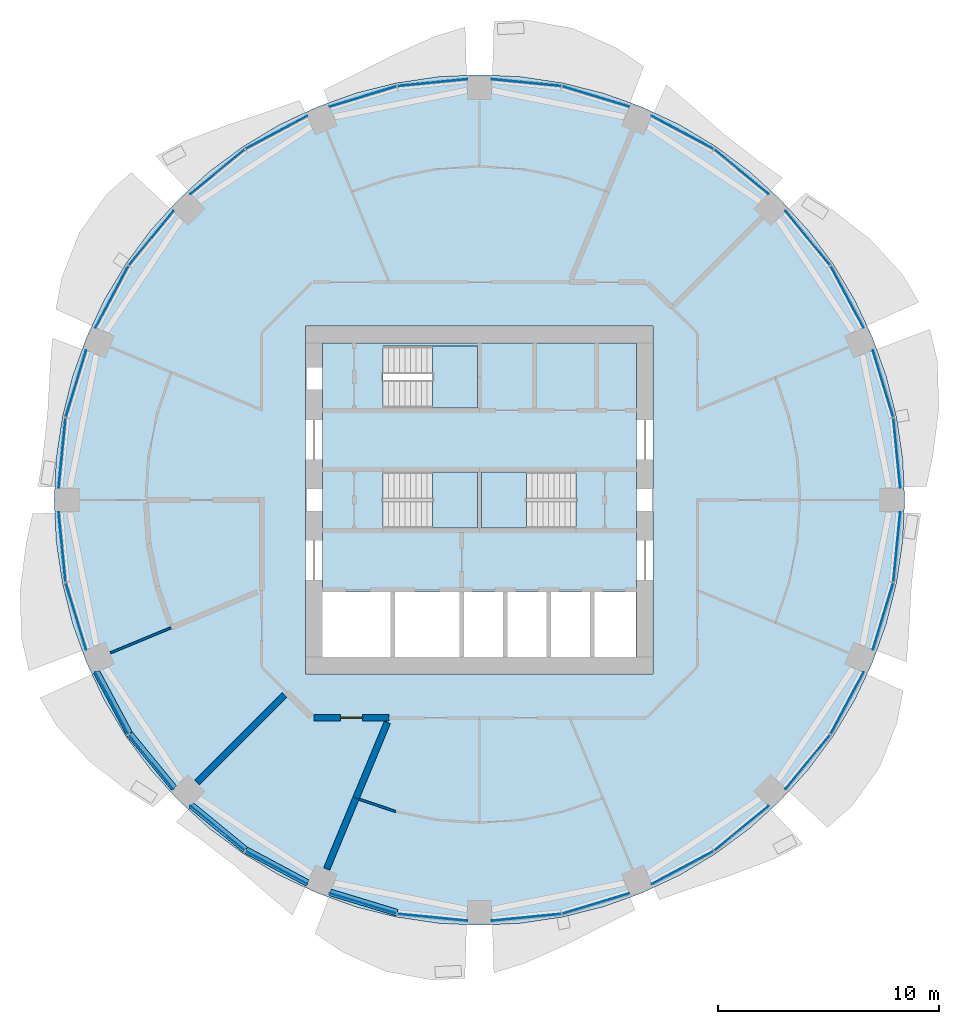
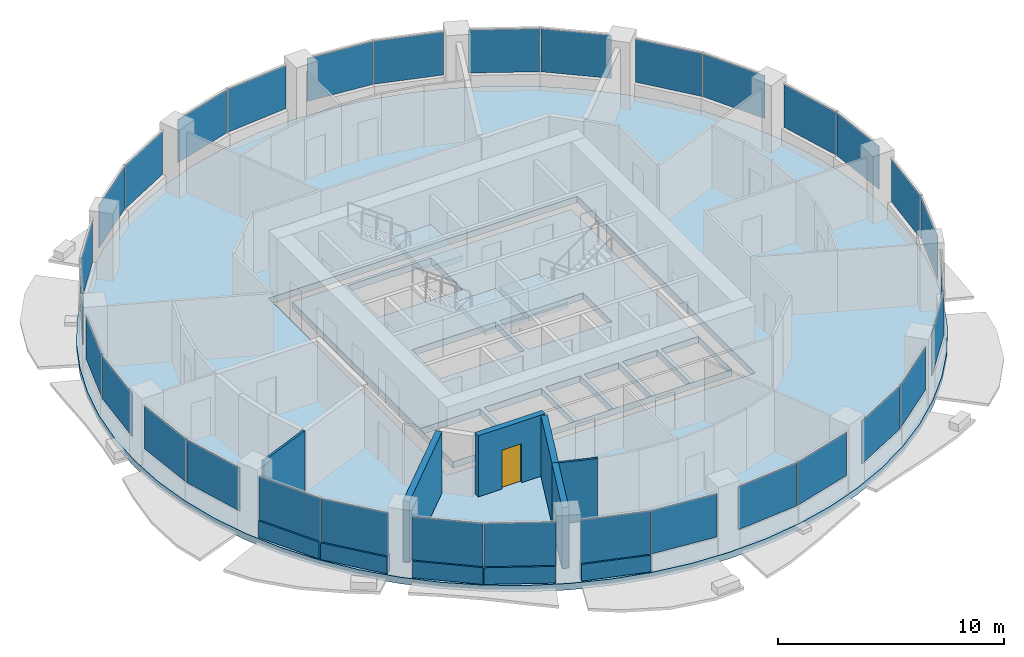
# One storey, part 6 of 14: 32 plates, 11 walls, 5 slabs, 1 door, 1 opening, 19 elements without a shape of their own.
"""IFC4 building model written with IfcOpenShell, lengths in metres."""

from ifc_helpers import new_model, si_unit, direction, frame, frame_2d, origin, origin_2d, place, context, subcontext, project, spatial, polyline, rectangle, outline, extrude, material, layer, layer_set, type_object, element, fill, aggregate, save


model = new_model("IFC4")

# Units and contexts
model_context = context("Model", 3, precision=1e-05, world=origin(), true_north=direction((0.0, 1.0)))
body_context = subcontext(model_context, "Body", "Model", "MODEL_VIEW")
ifc_project = project(units=[si_unit("LENGTHUNIT", "METRE"), si_unit("AREAUNIT", "SQUARE_METRE"), si_unit("VOLUMEUNIT", "CUBIC_METRE"), si_unit("PLANEANGLEUNIT", "RADIAN"), si_unit("MASSUNIT", "GRAM", prefix="KILO")], contexts=[model_context])

# Site, building, storey
site_placement = place(None, origin())
site = spatial("IfcSite", under=ifc_project, at=site_placement, CompositionType="ELEMENT")
building_placement = place(site_placement, origin())
building = spatial("IfcBuilding", under=site, at=building_placement, Name="Polderwave Tower", CompositionType="ELEMENT")
storey_placement = place(building_placement, frame((0.0, 0.0, 98.300048828125)))
storey = spatial("IfcBuildingStorey", under=building, at=storey_placement, Name="L25", CompositionType="ELEMENT", Elevation=98.300048828125)

# Slab
ifc_material_1 = material(Name="Concrete C40/50", Category="concrete")
ifc_layer_1 = layer(ifc_material_1, 0.35009765625)
ifc_layer_set_1 = layer_set([ifc_layer_1], Name="Core floor slab 350")
slab_type_1 = type_object("IfcSlabType", Name="Core floor slab 350", PredefinedType="FLOOR", material=ifc_layer_set_1)
slab_1_placement = place(storey_placement, frame((0.0, 0.0, -0.35009765625)))
element("IfcSlab", 1, at=slab_1_placement, inside=storey, type_object=slab_type_1, Name="L25 core floor", PredefinedType="FLOOR", context=body_context, shape_type="SweptSolid", body=[
    extrude(outline(polyline([(-7.1240234375, -7.1240234375), (7.1240234375, -7.1240234375), (7.1240234375, 7.1240234375), (-7.1240234375, 7.1240234375), (-7.1240234375, -7.1240234375)]), holes=[polyline([(-7.10400390625, -7.10400390625), (-4.037109375, -7.10400390625), (-4.037109375, -4.174072265625), (-7.10400390625, -4.174072265625), (-7.10400390625, -7.10400390625)]), polyline([(-3.8369140625, -7.10400390625), (-0.89990234375, -7.10400390625), (-0.89990234375, -4.174072265625), (-3.8369140625, -4.174072265625), (-3.8369140625, -7.10400390625)]), polyline([(-0.699951171875, -7.10400390625), (1.068603515625, -7.10400390625), (1.068603515625, -4.174072265625), (-0.699951171875, -4.174072265625), (-0.699951171875, -7.10400390625)]), polyline([(1.2685546875, -7.10400390625), (3.037109375, -7.10400390625), (3.037109375, -4.174072265625), (1.2685546875, -4.174072265625), (1.2685546875, -7.10400390625)]), polyline([(3.237060546875, -7.10400390625), (5.005615234375, -7.10400390625), (5.005615234375, -4.174072265625), (3.237060546875, -4.174072265625), (3.237060546875, -7.10400390625)]), polyline([(5.20556640625, -7.10400390625), (7.10400390625, -7.10400390625), (7.10400390625, -4.174072265625), (5.20556640625, -4.174072265625), (5.20556640625, -7.10400390625)]), polyline([(-4.37353515625, -1.2744140625), (-0.1005859375, -1.2744140625), (-0.1005859375, 1.2744140625), (-4.37353515625, 1.2744140625), (-4.37353515625, -1.2744140625)]), polyline([(0.1005859375, -1.2744140625), (4.37353515625, -1.2744140625), (4.37353515625, 1.2744140625), (0.1005859375, 1.2744140625), (0.1005859375, -1.2744140625)]), polyline([(-4.37353515625, 4.174560546875), (-0.1005859375, 4.174560546875), (-0.1005859375, 6.973388671875), (-4.37353515625, 6.973388671875), (-4.37353515625, 4.174560546875)])]), origin(), (0.0, 0.0, 1.0), 0.35009765625),
])

# Curtain wall, plates
ifc_material_2 = material(Name="Aluminium 6063-T6 and glass", Category="aluminium")
curtain_wall_type = type_object("IfcCurtainWallType", Name="Growing floor ribbon glazing wall", PredefinedType="NOTDEFINED", material=ifc_material_2)
curtain_wall_1_placement = place(storey_placement, origin())
curtain_wall_1 = element("IfcCurtainWall", 2, at=curtain_wall_1_placement, inside=storey, type_object=curtain_wall_type, Name="CW2 L25 00", PredefinedType="NOTDEFINED")
ifc_material_3 = material(Name="Glass, low-e laminated double glazing", Category="glass")
ifc_layer_2 = layer(ifc_material_3, 0.028076171875)
ifc_layer_set_2 = layer_set([ifc_layer_2], Name="Growing floor ribbon glazing glass panel 28 mm")
plate_type = type_object("IfcPlateType", Name="Growing floor ribbon glazing glass panel 28 mm", PredefinedType="CURTAIN_PANEL", material=ifc_layer_set_2)
plate_1_placement = place(storey_placement, frame((18.910888671875, 2.125, 0.89990234375), z_axis=(0.0, 0.0, 1.0), x_axis=(-0.097954610836, 0.995190883306, 0.0)))
plate_1 = element("IfcPlate", 3, at=plate_1_placement, type_object=plate_type, Name="CW2 panel 1", PredefinedType="CURTAIN_PANEL", context=body_context, shape_type="SweptSolid", body=[
    extrude(rectangle(XDim=3.165283203125, YDim=0.028076171875, at=origin_2d()), origin(), (0.0, 0.0, 1.0), 2.320068359375),
])
plate_2_placement = place(storey_placement, frame((18.28466796875, 5.2734375, 0.89990234375), z_axis=(0.0, 0.0, 1.0), x_axis=(-0.290389896585, 0.95690841148, 0.0)))
plate_2 = element("IfcPlate", 4, at=plate_2_placement, type_object=plate_type, Name="CW2 panel 2", PredefinedType="CURTAIN_PANEL", context=body_context, shape_type="SweptSolid", body=[
    extrude(rectangle(XDim=3.165771484375, YDim=0.028076171875, at=origin_2d()), origin(), (0.0, 0.0, 1.0), 2.320068359375),
])
aggregate(curtain_wall_1, [plate_1, plate_2])

curtain_wall_2_placement = place(storey_placement, origin())
curtain_wall_2 = element("IfcCurtainWall", 5, at=curtain_wall_2_placement, inside=storey, type_object=curtain_wall_type, Name="CW2 L25 01", PredefinedType="NOTDEFINED")
plate_3_placement = place(storey_placement, frame((16.658203125, 9.2001953125, 0.89990234375), z_axis=(0.0, 0.0, 1.0), x_axis=(-0.471205859658, 0.882023263766, 0.0)))
plate_3 = element("IfcPlate", 6, at=plate_3_placement, type_object=plate_type, Name="CW2 panel 1", PredefinedType="CURTAIN_PANEL", context=body_context, shape_type="SweptSolid", body=[
    extrude(rectangle(XDim=3.166015625, YDim=0.028076171875, at=origin_2d()), origin(), (0.0, 0.0, 1.0), 2.320068359375),
])
plate_4_placement = place(storey_placement, frame((14.87451171875, 11.86962890625, 0.89990234375), z_axis=(0.0, 0.0, 1.0), x_axis=(-0.634565960524, 0.772868709254, 0.0)))
plate_4 = element("IfcPlate", 7, at=plate_4_placement, type_object=plate_type, Name="CW2 panel 2", PredefinedType="CURTAIN_PANEL", context=body_context, shape_type="SweptSolid", body=[
    extrude(rectangle(XDim=3.166015625, YDim=0.028076171875, at=origin_2d()), origin(), (0.0, 0.0, 1.0), 2.320068359375),
])
aggregate(curtain_wall_2, [plate_3, plate_4])

curtain_wall_3_placement = place(storey_placement, origin())
curtain_wall_3 = element("IfcCurtainWall", 8, at=curtain_wall_3_placement, inside=storey, type_object=curtain_wall_type, Name="CW2 L25 02", PredefinedType="NOTDEFINED")
plate_5_placement = place(storey_placement, frame((11.86962890625, 14.87451171875, 0.89990234375), z_axis=(0.0, 0.0, 1.0), x_axis=(-0.772868709254, 0.634565960524, 0.0)))
plate_5 = element("IfcPlate", 9, at=plate_5_placement, type_object=plate_type, Name="CW2 panel 1", PredefinedType="CURTAIN_PANEL", context=body_context, shape_type="SweptSolid", body=[
    extrude(rectangle(XDim=3.166015625, YDim=0.028076171875, at=origin_2d()), origin(), (0.0, 0.0, 1.0), 2.320068359375),
])
plate_6_placement = place(storey_placement, frame((9.2001953125, 16.658203125, 0.89990234375), z_axis=(0.0, 0.0, 1.0), x_axis=(-0.882023263766, 0.471205859658, 0.0)))
plate_6 = element("IfcPlate", 10, at=plate_6_placement, type_object=plate_type, Name="CW2 panel 2", PredefinedType="CURTAIN_PANEL", context=body_context, shape_type="SweptSolid", body=[
    extrude(rectangle(XDim=3.166015625, YDim=0.028076171875, at=origin_2d()), origin(), (0.0, 0.0, 1.0), 2.320068359375),
])
aggregate(curtain_wall_3, [plate_5, plate_6])

curtain_wall_4_placement = place(storey_placement, origin())
curtain_wall_4 = element("IfcCurtainWall", 11, at=curtain_wall_4_placement, inside=storey, type_object=curtain_wall_type, Name="CW2 L25 03", PredefinedType="NOTDEFINED")
plate_7_placement = place(storey_placement, frame((5.2734375, 18.28466796875, 0.89990234375), z_axis=(0.0, 0.0, 1.0), x_axis=(-0.95690841148, 0.290389896585, 0.0)))
plate_7 = element("IfcPlate", 12, at=plate_7_placement, type_object=plate_type, Name="CW2 panel 1", PredefinedType="CURTAIN_PANEL", context=body_context, shape_type="SweptSolid", body=[
    extrude(rectangle(XDim=3.165771484375, YDim=0.028076171875, at=origin_2d()), origin(), (0.0, 0.0, 1.0), 2.320068359375),
])
plate_8_placement = place(storey_placement, frame((2.125, 18.910888671875, 0.89990234375), z_axis=(0.0, 0.0, 1.0), x_axis=(-0.995190883306, 0.097954610836, 0.0)))
plate_8 = element("IfcPlate", 13, at=plate_8_placement, type_object=plate_type, Name="CW2 panel 2", PredefinedType="CURTAIN_PANEL", context=body_context, shape_type="SweptSolid", body=[
    extrude(rectangle(XDim=3.165283203125, YDim=0.028076171875, at=origin_2d()), origin(), (0.0, 0.0, 1.0), 2.320068359375),
])
aggregate(curtain_wall_4, [plate_7, plate_8])

curtain_wall_5_placement = place(storey_placement, origin())
curtain_wall_5 = element("IfcCurtainWall", 14, at=curtain_wall_5_placement, inside=storey, type_object=curtain_wall_type, Name="CW2 L25 04", PredefinedType="NOTDEFINED")
plate_9_placement = place(storey_placement, frame((-2.125, 18.910888671875, 0.89990234375), z_axis=(0.0, 0.0, 1.0), x_axis=(-0.995190883306, -0.097954610836, 0.0)))
plate_9 = element("IfcPlate", 15, at=plate_9_placement, type_object=plate_type, Name="CW2 panel 1", PredefinedType="CURTAIN_PANEL", context=body_context, shape_type="SweptSolid", body=[
    extrude(rectangle(XDim=3.165283203125, YDim=0.028076171875, at=origin_2d()), origin(), (0.0, 0.0, 1.0), 2.320068359375),
])
plate_10_placement = place(storey_placement, frame((-5.2734375, 18.28466796875, 0.89990234375), z_axis=(0.0, 0.0, 1.0), x_axis=(-0.95690841148, -0.290389896585, 0.0)))
plate_10 = element("IfcPlate", 16, at=plate_10_placement, type_object=plate_type, Name="CW2 panel 2", PredefinedType="CURTAIN_PANEL", context=body_context, shape_type="SweptSolid", body=[
    extrude(rectangle(XDim=3.165771484375, YDim=0.028076171875, at=origin_2d()), origin(), (0.0, 0.0, 1.0), 2.320068359375),
])
aggregate(curtain_wall_5, [plate_9, plate_10])

curtain_wall_6_placement = place(storey_placement, origin())
curtain_wall_6 = element("IfcCurtainWall", 17, at=curtain_wall_6_placement, inside=storey, type_object=curtain_wall_type, Name="CW2 L25 05", PredefinedType="NOTDEFINED")
plate_11_placement = place(storey_placement, frame((-9.2001953125, 16.658203125, 0.89990234375), z_axis=(0.0, 0.0, 1.0), x_axis=(-0.882023263766, -0.471205859658, 0.0)))
plate_11 = element("IfcPlate", 18, at=plate_11_placement, type_object=plate_type, Name="CW2 panel 1", PredefinedType="CURTAIN_PANEL", context=body_context, shape_type="SweptSolid", body=[
    extrude(rectangle(XDim=3.166015625, YDim=0.028076171875, at=origin_2d()), origin(), (0.0, 0.0, 1.0), 2.320068359375),
])
plate_12_placement = place(storey_placement, frame((-11.86962890625, 14.87451171875, 0.89990234375), z_axis=(0.0, 0.0, 1.0), x_axis=(-0.772868709254, -0.634565960524, 0.0)))
plate_12 = element("IfcPlate", 19, at=plate_12_placement, type_object=plate_type, Name="CW2 panel 2", PredefinedType="CURTAIN_PANEL", context=body_context, shape_type="SweptSolid", body=[
    extrude(rectangle(XDim=3.166015625, YDim=0.028076171875, at=origin_2d()), origin(), (0.0, 0.0, 1.0), 2.320068359375),
])
aggregate(curtain_wall_6, [plate_11, plate_12])

curtain_wall_7_placement = place(storey_placement, origin())
curtain_wall_7 = element("IfcCurtainWall", 20, at=curtain_wall_7_placement, inside=storey, type_object=curtain_wall_type, Name="CW2 L25 06", PredefinedType="NOTDEFINED")
plate_13_placement = place(storey_placement, frame((-14.87451171875, 11.86962890625, 0.89990234375), z_axis=(0.0, 0.0, 1.0), x_axis=(-0.634565960524, -0.772868709254, 0.0)))
plate_13 = element("IfcPlate", 21, at=plate_13_placement, type_object=plate_type, Name="CW2 panel 1", PredefinedType="CURTAIN_PANEL", context=body_context, shape_type="SweptSolid", body=[
    extrude(rectangle(XDim=3.166015625, YDim=0.028076171875, at=origin_2d()), origin(), (0.0, 0.0, 1.0), 2.320068359375),
])
plate_14_placement = place(storey_placement, frame((-16.658203125, 9.2001953125, 0.89990234375), z_axis=(0.0, 0.0, 1.0), x_axis=(-0.471205859658, -0.882023263766, 0.0)))
plate_14 = element("IfcPlate", 22, at=plate_14_placement, type_object=plate_type, Name="CW2 panel 2", PredefinedType="CURTAIN_PANEL", context=body_context, shape_type="SweptSolid", body=[
    extrude(rectangle(XDim=3.166015625, YDim=0.028076171875, at=origin_2d()), origin(), (0.0, 0.0, 1.0), 2.320068359375),
])
aggregate(curtain_wall_7, [plate_13, plate_14])

curtain_wall_8_placement = place(storey_placement, origin())
curtain_wall_8 = element("IfcCurtainWall", 23, at=curtain_wall_8_placement, inside=storey, type_object=curtain_wall_type, Name="CW2 L25 07", PredefinedType="NOTDEFINED")
plate_15_placement = place(storey_placement, frame((-18.28466796875, 5.2734375, 0.89990234375), z_axis=(0.0, 0.0, 1.0), x_axis=(-0.290389896585, -0.95690841148, 0.0)))
plate_15 = element("IfcPlate", 24, at=plate_15_placement, type_object=plate_type, Name="CW2 panel 1", PredefinedType="CURTAIN_PANEL", context=body_context, shape_type="SweptSolid", body=[
    extrude(rectangle(XDim=3.165771484375, YDim=0.028076171875, at=origin_2d()), origin(), (0.0, 0.0, 1.0), 2.320068359375),
])
plate_16_placement = place(storey_placement, frame((-18.910888671875, 2.125, 0.89990234375), z_axis=(0.0, 0.0, 1.0), x_axis=(-0.097954610836, -0.995190883306, 0.0)))
plate_16 = element("IfcPlate", 25, at=plate_16_placement, type_object=plate_type, Name="CW2 panel 2", PredefinedType="CURTAIN_PANEL", context=body_context, shape_type="SweptSolid", body=[
    extrude(rectangle(XDim=3.165283203125, YDim=0.028076171875, at=origin_2d()), origin(), (0.0, 0.0, 1.0), 2.320068359375),
])
aggregate(curtain_wall_8, [plate_15, plate_16])

curtain_wall_9_placement = place(storey_placement, origin())
curtain_wall_9 = element("IfcCurtainWall", 26, at=curtain_wall_9_placement, inside=storey, type_object=curtain_wall_type, Name="CW2 L25 08", PredefinedType="NOTDEFINED")
plate_17_placement = place(storey_placement, frame((-18.910888671875, -2.125, 0.89990234375), z_axis=(0.0, 0.0, 1.0), x_axis=(0.097954610836, -0.995190883306, 0.0)))
plate_17 = element("IfcPlate", 27, at=plate_17_placement, type_object=plate_type, Name="CW2 panel 1", PredefinedType="CURTAIN_PANEL", context=body_context, shape_type="SweptSolid", body=[
    extrude(rectangle(XDim=3.165283203125, YDim=0.028076171875, at=origin_2d()), origin(), (0.0, 0.0, 1.0), 2.320068359375),
])
plate_18_placement = place(storey_placement, frame((-18.28466796875, -5.2734375, 0.89990234375), z_axis=(0.0, 0.0, 1.0), x_axis=(0.290389896585, -0.95690841148, 0.0)))
plate_18 = element("IfcPlate", 28, at=plate_18_placement, type_object=plate_type, Name="CW2 panel 2", PredefinedType="CURTAIN_PANEL", context=body_context, shape_type="SweptSolid", body=[
    extrude(rectangle(XDim=3.165771484375, YDim=0.028076171875, at=origin_2d()), origin(), (0.0, 0.0, 1.0), 2.320068359375),
])
aggregate(curtain_wall_9, [plate_17, plate_18])

curtain_wall_10_placement = place(storey_placement, origin())
curtain_wall_10 = element("IfcCurtainWall", 29, at=curtain_wall_10_placement, inside=storey, type_object=curtain_wall_type, Name="CW2 L25 09", PredefinedType="NOTDEFINED")
plate_19_placement = place(storey_placement, frame((-16.658203125, -9.2001953125, 0.89990234375), z_axis=(0.0, 0.0, 1.0), x_axis=(0.471205859658, -0.882023263766, 0.0)))
plate_19 = element("IfcPlate", 30, at=plate_19_placement, type_object=plate_type, Name="CW2 panel 1", PredefinedType="CURTAIN_PANEL", context=body_context, shape_type="SweptSolid", body=[
    extrude(rectangle(XDim=3.166015625, YDim=0.028076171875, at=origin_2d()), origin(), (0.0, 0.0, 1.0), 2.320068359375),
])
plate_20_placement = place(storey_placement, frame((-14.87451171875, -11.86962890625, 0.89990234375), z_axis=(0.0, 0.0, 1.0), x_axis=(0.634565960524, -0.772868709254, 0.0)))
plate_20 = element("IfcPlate", 31, at=plate_20_placement, type_object=plate_type, Name="CW2 panel 2", PredefinedType="CURTAIN_PANEL", context=body_context, shape_type="SweptSolid", body=[
    extrude(rectangle(XDim=3.166015625, YDim=0.028076171875, at=origin_2d()), origin(), (0.0, 0.0, 1.0), 2.320068359375),
])
aggregate(curtain_wall_10, [plate_19, plate_20])

curtain_wall_11_placement = place(storey_placement, origin())
curtain_wall_11 = element("IfcCurtainWall", 32, at=curtain_wall_11_placement, inside=storey, type_object=curtain_wall_type, Name="CW2 L25 10", PredefinedType="NOTDEFINED")
plate_21_placement = place(storey_placement, frame((-11.86962890625, -14.87451171875, 0.89990234375), z_axis=(0.0, 0.0, 1.0), x_axis=(0.772868709254, -0.634565960524, 0.0)))
plate_21 = element("IfcPlate", 33, at=plate_21_placement, type_object=plate_type, Name="CW2 panel 1", PredefinedType="CURTAIN_PANEL", context=body_context, shape_type="SweptSolid", body=[
    extrude(rectangle(XDim=3.166015625, YDim=0.028076171875, at=origin_2d()), origin(), (0.0, 0.0, 1.0), 2.320068359375),
])
plate_22_placement = place(storey_placement, frame((-9.2001953125, -16.658203125, 0.89990234375), z_axis=(0.0, 0.0, 1.0), x_axis=(0.882023263766, -0.471205859658, 0.0)))
plate_22 = element("IfcPlate", 34, at=plate_22_placement, type_object=plate_type, Name="CW2 panel 2", PredefinedType="CURTAIN_PANEL", context=body_context, shape_type="SweptSolid", body=[
    extrude(rectangle(XDim=3.166015625, YDim=0.028076171875, at=origin_2d()), origin(), (0.0, 0.0, 1.0), 2.320068359375),
])
aggregate(curtain_wall_11, [plate_21, plate_22])

curtain_wall_12_placement = place(storey_placement, origin())
curtain_wall_12 = element("IfcCurtainWall", 35, at=curtain_wall_12_placement, inside=storey, type_object=curtain_wall_type, Name="CW2 L25 11", PredefinedType="NOTDEFINED")
plate_23_placement = place(storey_placement, frame((-5.2734375, -18.28466796875, 0.89990234375), z_axis=(0.0, 0.0, 1.0), x_axis=(0.95690841148, -0.290389896585, 0.0)))
plate_23 = element("IfcPlate", 36, at=plate_23_placement, type_object=plate_type, Name="CW2 panel 1", PredefinedType="CURTAIN_PANEL", context=body_context, shape_type="SweptSolid", body=[
    extrude(rectangle(XDim=3.165771484375, YDim=0.028076171875, at=origin_2d()), origin(), (0.0, 0.0, 1.0), 2.320068359375),
])
plate_24_placement = place(storey_placement, frame((-2.125, -18.910888671875, 0.89990234375), z_axis=(0.0, 0.0, 1.0), x_axis=(0.995190883306, -0.097954610836, 0.0)))
plate_24 = element("IfcPlate", 37, at=plate_24_placement, type_object=plate_type, Name="CW2 panel 2", PredefinedType="CURTAIN_PANEL", context=body_context, shape_type="SweptSolid", body=[
    extrude(rectangle(XDim=3.165283203125, YDim=0.028076171875, at=origin_2d()), origin(), (0.0, 0.0, 1.0), 2.320068359375),
])
aggregate(curtain_wall_12, [plate_23, plate_24])

curtain_wall_13_placement = place(storey_placement, origin())
curtain_wall_13 = element("IfcCurtainWall", 38, at=curtain_wall_13_placement, inside=storey, type_object=curtain_wall_type, Name="CW2 L25 12", PredefinedType="NOTDEFINED")
plate_25_placement = place(storey_placement, frame((2.125, -18.910888671875, 0.89990234375), z_axis=(0.0, 0.0, 1.0), x_axis=(0.995190883306, 0.097954610836, 0.0)))
plate_25 = element("IfcPlate", 39, at=plate_25_placement, type_object=plate_type, Name="CW2 panel 1", PredefinedType="CURTAIN_PANEL", context=body_context, shape_type="SweptSolid", body=[
    extrude(rectangle(XDim=3.165283203125, YDim=0.028076171875, at=origin_2d()), origin(), (0.0, 0.0, 1.0), 2.320068359375),
])
plate_26_placement = place(storey_placement, frame((5.2734375, -18.28466796875, 0.89990234375), z_axis=(0.0, 0.0, 1.0), x_axis=(0.95690841148, 0.290389896585, 0.0)))
plate_26 = element("IfcPlate", 40, at=plate_26_placement, type_object=plate_type, Name="CW2 panel 2", PredefinedType="CURTAIN_PANEL", context=body_context, shape_type="SweptSolid", body=[
    extrude(rectangle(XDim=3.165771484375, YDim=0.028076171875, at=origin_2d()), origin(), (0.0, 0.0, 1.0), 2.320068359375),
])
aggregate(curtain_wall_13, [plate_25, plate_26])

curtain_wall_14_placement = place(storey_placement, origin())
curtain_wall_14 = element("IfcCurtainWall", 41, at=curtain_wall_14_placement, inside=storey, type_object=curtain_wall_type, Name="CW2 L25 13", PredefinedType="NOTDEFINED")
plate_27_placement = place(storey_placement, frame((9.2001953125, -16.658203125, 0.89990234375), z_axis=(0.0, 0.0, 1.0), x_axis=(0.882023263766, 0.471205859658, 0.0)))
plate_27 = element("IfcPlate", 42, at=plate_27_placement, type_object=plate_type, Name="CW2 panel 1", PredefinedType="CURTAIN_PANEL", context=body_context, shape_type="SweptSolid", body=[
    extrude(rectangle(XDim=3.166015625, YDim=0.028076171875, at=origin_2d()), origin(), (0.0, 0.0, 1.0), 2.320068359375),
])
plate_28_placement = place(storey_placement, frame((11.86962890625, -14.87451171875, 0.89990234375), z_axis=(0.0, 0.0, 1.0), x_axis=(0.772868709254, 0.634565960524, 0.0)))
plate_28 = element("IfcPlate", 43, at=plate_28_placement, type_object=plate_type, Name="CW2 panel 2", PredefinedType="CURTAIN_PANEL", context=body_context, shape_type="SweptSolid", body=[
    extrude(rectangle(XDim=3.166015625, YDim=0.028076171875, at=origin_2d()), origin(), (0.0, 0.0, 1.0), 2.320068359375),
])
aggregate(curtain_wall_14, [plate_27, plate_28])

curtain_wall_15_placement = place(storey_placement, origin())
curtain_wall_15 = element("IfcCurtainWall", 44, at=curtain_wall_15_placement, inside=storey, type_object=curtain_wall_type, Name="CW2 L25 14", PredefinedType="NOTDEFINED")
plate_29_placement = place(storey_placement, frame((14.87451171875, -11.86962890625, 0.89990234375), z_axis=(0.0, 0.0, 1.0), x_axis=(0.634565960524, 0.772868709254, 0.0)))
plate_29 = element("IfcPlate", 45, at=plate_29_placement, type_object=plate_type, Name="CW2 panel 1", PredefinedType="CURTAIN_PANEL", context=body_context, shape_type="SweptSolid", body=[
    extrude(rectangle(XDim=3.166015625, YDim=0.028076171875, at=origin_2d()), origin(), (0.0, 0.0, 1.0), 2.320068359375),
])
plate_30_placement = place(storey_placement, frame((16.658203125, -9.2001953125, 0.89990234375), z_axis=(0.0, 0.0, 1.0), x_axis=(0.471205859658, 0.882023263766, 0.0)))
plate_30 = element("IfcPlate", 46, at=plate_30_placement, type_object=plate_type, Name="CW2 panel 2", PredefinedType="CURTAIN_PANEL", context=body_context, shape_type="SweptSolid", body=[
    extrude(rectangle(XDim=3.166015625, YDim=0.028076171875, at=origin_2d()), origin(), (0.0, 0.0, 1.0), 2.320068359375),
])
aggregate(curtain_wall_15, [plate_29, plate_30])

curtain_wall_16_placement = place(storey_placement, origin())
curtain_wall_16 = element("IfcCurtainWall", 47, at=curtain_wall_16_placement, inside=storey, type_object=curtain_wall_type, Name="CW2 L25 15", PredefinedType="NOTDEFINED")
plate_31_placement = place(storey_placement, frame((18.28466796875, -5.2734375, 0.89990234375), z_axis=(0.0, 0.0, 1.0), x_axis=(0.290389896585, 0.95690841148, 0.0)))
plate_31 = element("IfcPlate", 48, at=plate_31_placement, type_object=plate_type, Name="CW2 panel 1", PredefinedType="CURTAIN_PANEL", context=body_context, shape_type="SweptSolid", body=[
    extrude(rectangle(XDim=3.165771484375, YDim=0.028076171875, at=origin_2d()), origin(), (0.0, 0.0, 1.0), 2.320068359375),
])
plate_32_placement = place(storey_placement, frame((18.910888671875, -2.125, 0.89990234375), z_axis=(0.0, 0.0, 1.0), x_axis=(0.097954610836, 0.995190883306, 0.0)))
plate_32 = element("IfcPlate", 49, at=plate_32_placement, type_object=plate_type, Name="CW2 panel 2", PredefinedType="CURTAIN_PANEL", context=body_context, shape_type="SweptSolid", body=[
    extrude(rectangle(XDim=3.165283203125, YDim=0.028076171875, at=origin_2d()), origin(), (0.0, 0.0, 1.0), 2.320068359375),
])
aggregate(curtain_wall_16, [plate_31, plate_32])

# Slab
ifc_layer_3 = layer(ifc_material_1, 0.35009765625)
ifc_layer_set_3 = layer_set([ifc_layer_3], Name="PT FLOOR SLAB 350 C40/50")
slab_type_2 = type_object("IfcSlabType", Name="PT FLOOR SLAB 350 C40/50", PredefinedType="FLOOR", material=ifc_layer_set_3)
slab_2_placement = place(storey_placement, frame((0.0, 0.0, -0.35009765625)))
element("IfcSlab", 50, at=slab_2_placement, inside=storey, type_object=slab_type_2, Name="ST-SLAB-L25", PredefinedType="FLOOR", context=body_context, shape_type="SweptSolid", body=[
    extrude(outline(polyline([(19.27001953125, 0.0), (19.17724609375, 1.888916015625), (18.899658203125, 3.759521484375), (18.440185546875, 5.59375), (17.80322265625, 7.374267578125), (16.99462890625, 9.083740234375), (16.0224609375, 10.705810546875), (14.89599609375, 12.224853515625), (13.6259765625, 13.6259765625), (12.224853515625, 14.89599609375), (10.705810546875, 16.0224609375), (9.083740234375, 16.99462890625), (7.374267578125, 17.80322265625), (5.59375, 18.440185546875), (3.759521484375, 18.899658203125), (1.888916015625, 19.17724609375), (0.0, 19.27001953125), (-1.888916015625, 19.17724609375), (-3.759521484375, 18.899658203125), (-5.59375, 18.440185546875), (-7.374267578125, 17.80322265625), (-9.083740234375, 16.99462890625), (-10.705810546875, 16.0224609375), (-12.224853515625, 14.89599609375), (-13.6259765625, 13.6259765625), (-14.89599609375, 12.224853515625), (-16.0224609375, 10.705810546875), (-16.99462890625, 9.083740234375), (-17.80322265625, 7.374267578125), (-18.440185546875, 5.59375), (-18.899658203125, 3.759521484375), (-19.17724609375, 1.888916015625), (-19.27001953125, 0.0), (-19.17724609375, -1.888916015625), (-18.899658203125, -3.759521484375), (-18.440185546875, -5.59375), (-17.80322265625, -7.374267578125), (-16.99462890625, -9.083740234375), (-16.0224609375, -10.705810546875), (-14.89599609375, -12.224853515625), (-13.6259765625, -13.6259765625), (-12.224853515625, -14.89599609375), (-10.705810546875, -16.0224609375), (-9.083740234375, -16.99462890625), (-7.374267578125, -17.80322265625), (-5.59375, -18.440185546875), (-3.759521484375, -18.899658203125), (-1.888916015625, -19.17724609375), (0.0, -19.27001953125), (1.888916015625, -19.17724609375), (3.759521484375, -18.899658203125), (5.59375, -18.440185546875), (7.374267578125, -17.80322265625), (9.083740234375, -16.99462890625), (10.705810546875, -16.0224609375), (12.224853515625, -14.89599609375), (13.6259765625, -13.6259765625), (14.89599609375, -12.224853515625), (16.0224609375, -10.705810546875), (16.99462890625, -9.083740234375), (17.80322265625, -7.374267578125), (18.440185546875, -5.59375), (18.899658203125, -3.759521484375), (19.17724609375, -1.888916015625), (19.27001953125, 0.0)]), holes=[polyline([(-7.8740234375, -7.8740234375), (7.8740234375, -7.8740234375), (7.8740234375, 7.8740234375), (-7.8740234375, 7.8740234375), (-7.8740234375, -7.8740234375)])]), origin(), (0.0, 0.0, 1.0), 0.35009765625),
])

# Stair, slab
stair_type = type_object("IfcStairType", Name="Exit stair 1200 x 20 risers", PredefinedType="HALF_TURN_STAIR", material=ifc_material_1)
stair_1_placement = place(storey_placement, origin())
stair_1 = element("IfcStair", 51, at=stair_1_placement, inside=storey, type_object=stair_type, Name="L25 Exit stair A", PredefinedType="HALF_TURN_STAIR")
ifc_layer_4 = layer(ifc_material_1, 0.300048828125)
ifc_layer_set_4 = layer_set([ifc_layer_4], Name="Stair landing 300")
slab_type_3 = type_object("IfcSlabType", Name="Stair landing 300", PredefinedType="LANDING", material=ifc_layer_set_4)
slab_3_placement = place(storey_placement, frame((0.0, 0.0, 1.52490234375)))
slab_3 = element("IfcSlab", 52, at=slab_3_placement, type_object=slab_type_3, Name="ST-A landing 1", PredefinedType="LANDING", context=body_context, shape_type="SweptSolid", body=[
    extrude(outline(polyline([(-2.1240234375, -1.27490234375), (-0.10009765625, -1.27490234375), (-0.10009765625, 1.27490234375), (-2.1240234375, 1.27490234375), (-2.1240234375, -1.27490234375)])), origin(), (0.0, 0.0, 1.0), 0.300048828125),
])
aggregate(stair_1, [slab_3])

stair_2_placement = place(storey_placement, origin())
stair_2 = element("IfcStair", 53, at=stair_2_placement, inside=storey, type_object=stair_type, Name="L25 Exit stair B", PredefinedType="HALF_TURN_STAIR")
slab_4_placement = place(storey_placement, frame((0.0, 0.0, 1.52490234375)))
slab_4 = element("IfcSlab", 54, at=slab_4_placement, type_object=slab_type_3, Name="ST-B landing 1", PredefinedType="LANDING", context=body_context, shape_type="SweptSolid", body=[
    extrude(outline(polyline([(2.1240234375, 1.27490234375), (0.10009765625, 1.27490234375), (0.10009765625, -1.27490234375), (2.1240234375, -1.27490234375), (2.1240234375, 1.27490234375)])), origin(), (0.0, 0.0, 1.0), 0.300048828125),
])
aggregate(stair_2, [slab_4])

stair_3_placement = place(storey_placement, origin())
stair_3 = element("IfcStair", 55, at=stair_3_placement, inside=storey, type_object=stair_type, Name="L25 Exit stair C", PredefinedType="HALF_TURN_STAIR")
slab_5_placement = place(storey_placement, frame((0.0, 0.0, 1.52490234375)))
slab_5 = element("IfcSlab", 56, at=slab_5_placement, type_object=slab_type_3, Name="ST-C landing 1", PredefinedType="LANDING", context=body_context, shape_type="SweptSolid", body=[
    extrude(outline(polyline([(-2.1240234375, 4.174072265625), (-0.10009765625, 4.174072265625), (-0.10009765625, 6.97412109375), (-2.1240234375, 6.97412109375), (-2.1240234375, 4.174072265625)])), origin(), (0.0, 0.0, 1.0), 0.300048828125),
])
aggregate(stair_3, [slab_5])

# Wall, opening, door
ifc_material_4 = material(Name="Insulated sandwich panel")
ifc_layer_5 = layer(ifc_material_4, 0.300048828125)
ifc_layer_set_5 = layer_set([ifc_layer_5], Name="Cold room wall 300 mm insulated panel")
wall_type_1 = type_object("IfcWallType", Name="Cold room wall 300 mm insulated panel", PredefinedType="PARTITIONING", material=ifc_layer_set_5)
wall_1_placement = place(storey_placement, frame((-4.08984375, -9.8740234375, 0.0), z_axis=(0.0, 0.0, 1.0), x_axis=(-1.0, 0.0, 0.0)))
wall_1 = element("IfcWall", 57, at=wall_1_placement, inside=storey, type_object=wall_type_1, Name="IN-L25-W017", PredefinedType="PARTITIONING", context=body_context, shape_type="SweptSolid", body=[
    extrude(rectangle(XDim=3.419189453125, YDim=0.300048828125, at=frame_2d((1.70947265625, 0.0))), origin(), (0.0, 0.0, 1.0), 3.300048828125),
])
opening_placement = place(wall_1_placement, frame((1.199951171875, 0.0, 0.0)))
opening = element("IfcOpeningElement", 58, at=opening_placement, cuts=wall_1, Name="Opening L25-D56", PredefinedType="OPENING", context=body_context, shape_type="SweptSolid", body=[
    extrude(rectangle(XDim=1.0, YDim=2.10009765625, at=frame_2d((0.5, 1.050048828125))), frame((0.0, 0.159912109375, 0.0), z_axis=(0.0, -1.0, 0.0), x_axis=(1.0, 0.0, 0.0)), (0.0, 0.0, 1.0), 0.320068359375),
])
ifc_material_5 = material(Name="Steel plant door leaf", Category="steel")
door_type = type_object("IfcDoorType", Name="Plant door FD60 1000 x 2100 steel", OperationType="NOTDEFINED", PredefinedType="DOOR", material=ifc_material_5)
door_placement = place(opening_placement, origin())
door = element("IfcDoor", 59, at=door_placement, inside=storey, type_object=door_type, Name="Door L25-D56", OperationType="SINGLE_SWING_LEFT", OverallHeight=2.10009765625, OverallWidth=1.0, PredefinedType="DOOR", context=body_context, shape_type="SweptSolid", body=[
    extrude(rectangle(XDim=1.0, YDim=2.10009765625, at=frame_2d((0.5, 1.050048828125))), frame((0.0, 0.02490234375, 0.0), z_axis=(0.0, -1.0, 0.0), x_axis=(1.0, 0.0, 0.0)), (0.0, 0.0, 1.0), 0.050048828125),
])
fill(opening, door)

# Walls
wall_2_placement = place(storey_placement, frame((-12.79150390625, -12.79150390625, 0.0), z_axis=(0.0, 0.0, 1.0), x_axis=(0.707106781187, 0.707106781187, 0.0)))
element("IfcWall", 60, at=wall_2_placement, inside=storey, type_object=wall_type_1, Name="IN-L25-W053", PredefinedType="PARTITIONING", context=body_context, shape_type="SweptSolid", body=[
    extrude(rectangle(XDim=5.6044921875, YDim=0.300048828125, at=frame_2d((2.80224609375, 0.0))), origin(), (0.0, 0.0, 1.0), 3.300048828125),
])
wall_3_placement = place(storey_placement, frame((-4.17578125, -10.081298828125, 0.0), z_axis=(0.0, 0.0, 1.0), x_axis=(-0.382669680004, -0.923885228806, 0.0)))
element("IfcWall", 61, at=wall_3_placement, inside=storey, type_object=wall_type_1, Name="IN-L25-W054", PredefinedType="PARTITIONING", context=body_context, shape_type="SweptSolid", body=[
    extrude(rectangle(XDim=3.7080078125, YDim=0.300048828125, at=frame_2d((1.85400390625, 0.0))), origin(), (0.0, 0.0, 1.0), 3.300048828125),
])
wall_4_placement = place(storey_placement, frame((-5.5947265625, -13.507080078125, 0.0), z_axis=(0.0, 0.0, 1.0), x_axis=(-0.382681133009, -0.923880484932, 0.0)))
element("IfcWall", 62, at=wall_4_placement, inside=storey, type_object=wall_type_1, Name="IN-L25-W055", PredefinedType="PARTITIONING", context=body_context, shape_type="SweptSolid", body=[
    extrude(rectangle(XDim=3.469970703125, YDim=0.300048828125, at=frame_2d((1.73486328125, 0.0))), origin(), (0.0, 0.0, 1.0), 3.300048828125),
])
ifc_material_6 = material(Name="Concrete C50/60 (board-marked)", Category="concrete")
ifc_layer_6 = layer(ifc_material_6, 0.300048828125)
ifc_layer_set_6 = layer_set([ifc_layer_6], Name="Concrete spandrel upstand C50/60")
wall_type_2 = type_object("IfcWallType", Name="Concrete spandrel upstand C50/60", PredefinedType="SOLIDWALL", material=ifc_layer_set_6)
for number, where, z_axis, x_axis, name in (
    (63, (-17.350830078125, -7.797119140625, 0.0), (0.0, 0.0, 1.0), (0.471238306932, -0.882005928597, 0.0), "Spandrel L25 10a"),
    (64, (-15.846435546875, -10.606689453125, 0.0), (0.0, 0.0, 1.0), (0.63437822698, -0.773022810229, 0.0), "Spandrel L25 10b"),
    (65, (-13.04736328125, -13.843505859375, 0.0), (0.0, 0.0, 1.0), (0.773022810229, -0.63437822698, 0.0), "Spandrel L25 11a"),
    (66, (-10.581787109375, -15.863037109375, 0.0), (0.0, 0.0, 1.0), (0.882005928597, -0.471238306932, 0.0), "Spandrel L25 11b"),
):
    element("IfcWall", number, at=place(storey_placement, frame(where, z_axis=z_axis, x_axis=x_axis)), inside=storey, type_object=wall_type_2, Name=name, PredefinedType="SOLIDWALL", context=body_context, shape_type="SweptSolid", body=[
        extrude(rectangle(XDim=3.1572265625, YDim=0.300048828125, at=frame_2d((1.57861328125, 0.0))), origin(), (0.0, 0.0, 1.0), 0.89990234375),
    ])
wall_5_placement = place(storey_placement, frame((-6.755615234375, -17.782470703125, 0.0), z_axis=(0.0, 0.0, 1.0), x_axis=(0.956874051907, -0.290503096001, 0.0)))
element("IfcWall", 67, at=wall_5_placement, inside=storey, type_object=wall_type_2, Name="Spandrel L25 12a", PredefinedType="SOLIDWALL", context=body_context, shape_type="SweptSolid", body=[
    extrude(rectangle(XDim=3.157470703125, YDim=0.300048828125, at=frame_2d((1.57861328125, 0.0))), origin(), (0.0, 0.0, 1.0), 0.89990234375),
])
ifc_material_7 = material(Name="Acoustic double plasterboard on steel studs", Category="steel")
ifc_layer_7 = layer(ifc_material_7, 0.110107421875)
ifc_layer_set_7 = layer_set([ifc_layer_7], Name="Partition 110 mm acoustic double board")
wall_type_3 = type_object("IfcWallType", Name="Partition 110 mm acoustic double board", PredefinedType="PARTITIONING", material=ifc_layer_set_7)
wall_6_placement = place(storey_placement, frame((-13.968994140625, -5.7861328125, 0.0), z_axis=(0.0, 0.0, 1.0), x_axis=(-0.923889594764, -0.382659139036, 0.0)))
element("IfcWall", 68, at=wall_6_placement, inside=storey, type_object=wall_type_3, Name="IN-L25-W051", PredefinedType="PARTITIONING", context=body_context, shape_type="SweptSolid", body=[
    extrude(rectangle(XDim=2.969970703125, YDim=0.110107421875, at=frame_2d((1.48486328125, 0.0))), origin(), (0.0, 0.0, 1.0), 3.300048828125),
])
wall_7_placement = place(storey_placement, frame((-3.787353515625, -14.12060546875, 0.0), z_axis=(0.0, 0.0, 1.0), x_axis=(-0.946943921292, 0.321398833116, 0.0)))
element("IfcWall", 69, at=wall_7_placement, inside=storey, type_object=wall_type_3, Name="IN-L25-W056", PredefinedType="PARTITIONING", context=body_context, shape_type="SweptSolid", body=[
    extrude(rectangle(XDim=1.754638671875, YDim=0.110107421875, at=frame_2d((0.87744140625, 0.0))), origin(), (0.0, 0.0, 1.0), 3.300048828125),
])

save(model, "model.ifc")
